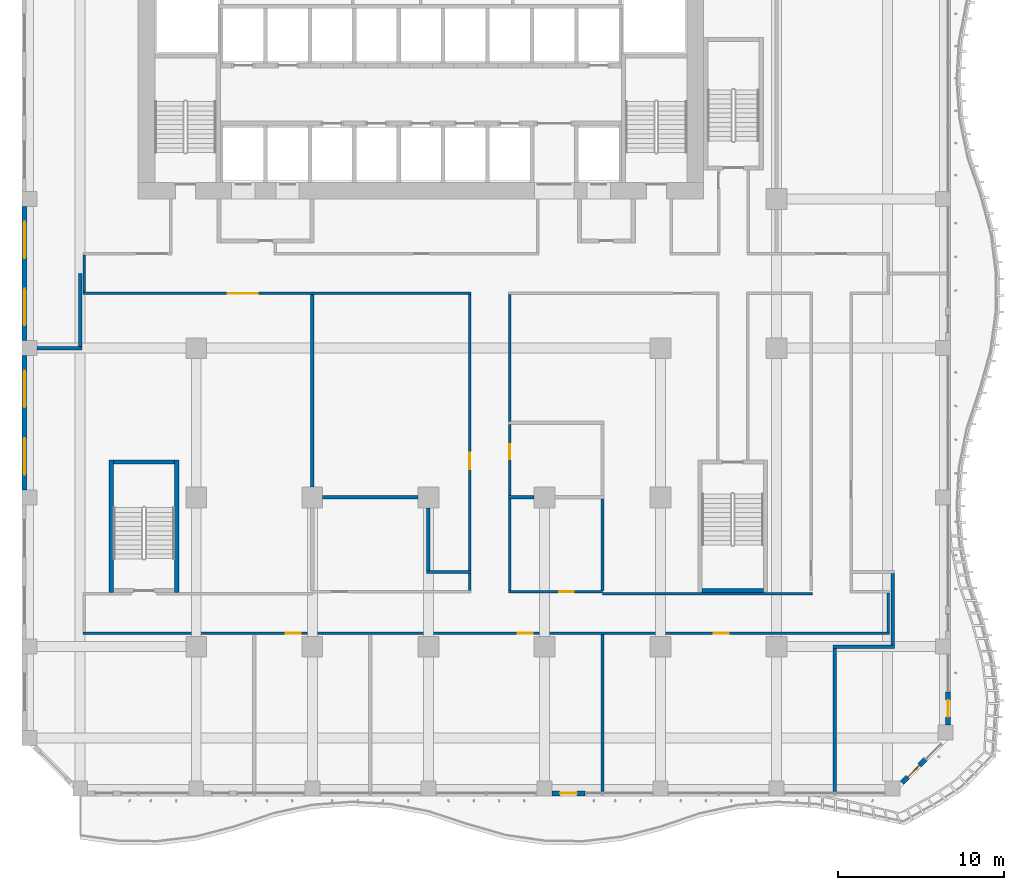
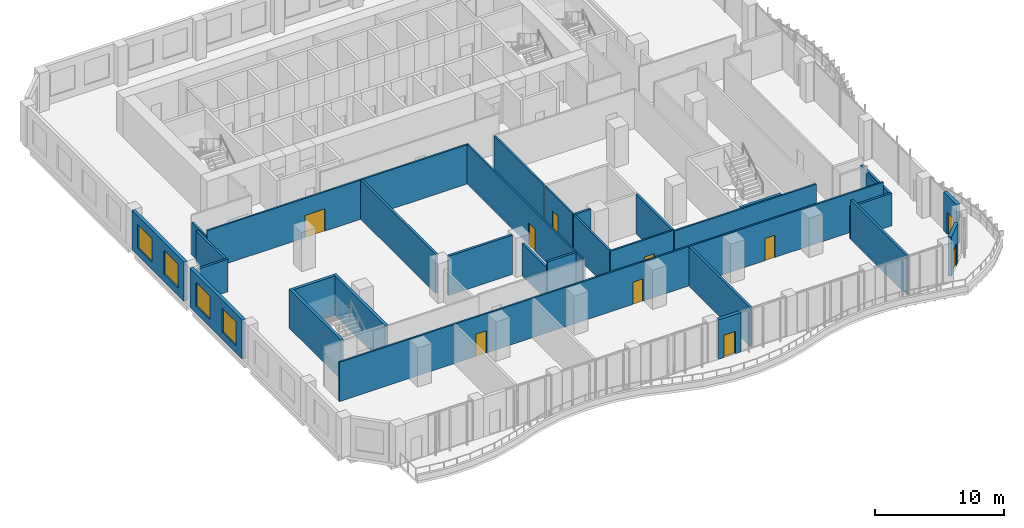
# One storey, part 14 of 29: 32 walls, 10 doors, 4 windows, 14 openings.
"""IFC4 building model written with IfcOpenShell, lengths in metres."""

from ifc_helpers import new_model, si_unit, direction, frame, frame_2d, origin, place, context, subcontext, project, spatial, rectangle, extrude, source, transform, mapped, material, layer, layer_set, type_object, element, fill, save


model = new_model("IFC4")

# Units and contexts
model_context = context("Model", 3, precision=1e-05, world=origin(), true_north=direction((0.0, 1.0)))
body_context = subcontext(model_context, "Body", "Model", "MODEL_VIEW")
ifc_project = project(units=[si_unit("LENGTHUNIT", "METRE"), si_unit("AREAUNIT", "SQUARE_METRE"), si_unit("VOLUMEUNIT", "CUBIC_METRE"), si_unit("PLANEANGLEUNIT", "RADIAN"), si_unit("MASSUNIT", "GRAM", prefix="KILO")], contexts=[model_context])

# Site, building, storey
site_placement = place(None, origin())
site = spatial("IfcSite", under=ifc_project, at=site_placement, CompositionType="ELEMENT")
building_placement = place(site_placement, origin())
building = spatial("IfcBuilding", under=site, at=building_placement, Name="Kilnfold Tower and Market Hall", CompositionType="ELEMENT")
storey_placement = place(building_placement, frame((0.0, 0.0, 79.199951171875)))
storey = spatial("IfcBuildingStorey", under=building, at=storey_placement, Name="L18", CompositionType="ELEMENT", Elevation=79.199951171875)

# Wall, openings, doors
ifc_material_1 = material(Name="Gypsum board on steel studs", Category="steel")
ifc_layer_1 = layer(ifc_material_1, 0.14990234375)
ifc_layer_set_1 = layer_set([ifc_layer_1], Name="Gypsum board on steel studs")
wall_type_1 = type_object("IfcWallType", Name="WALL CORRIDOR 150", PredefinedType="PARTITIONING", material=ifc_layer_set_1)
wall_1_placement = place(storey_placement, frame((-19.324951171875, -18.199951171875, 0.0), z_axis=(0.0, 0.0, 1.0), x_axis=(1.0, 0.0, 0.0)))
wall_1 = element("IfcWall", 1, at=wall_1_placement, inside=storey, type_object=wall_type_1, Name="Partition LY13.1", PredefinedType="PARTITIONING", context=body_context, shape_type="SweptSolid", body=[
    extrude(rectangle(XDim=48.64990234375, YDim=0.14990234375, at=frame_2d((24.324951171875, 0.0))), origin(), (0.0, 0.0, 1.0), 3.719970703125),
])
opening_1_placement = place(wall_1_placement, frame((12.220947265625, 0.0, 0.0)))
opening_1 = element("IfcOpeningElement", 2, at=opening_1_placement, cuts=wall_1, Name="Opening D3", PredefinedType="OPENING", context=body_context, shape_type="SweptSolid", body=[
    extrude(rectangle(XDim=0.89990234375, YDim=2.10009765625, at=frame_2d((0.449951171875, 1.050048828125))), frame((0.0, 0.0849609375, 0.0), z_axis=(0.0, -1.0, 0.0), x_axis=(1.0, 0.0, 0.0)), (0.0, 0.0, 1.0), 0.169921875),
])
opening_2_placement = place(wall_1_placement, frame((26.22900390625, 0.0, 0.0)))
opening_2 = element("IfcOpeningElement", 3, at=opening_2_placement, cuts=wall_1, Name="Opening D2", PredefinedType="OPENING", context=body_context, shape_type="SweptSolid", body=[
    extrude(rectangle(XDim=0.89990234375, YDim=2.10009765625, at=frame_2d((0.449951171875, 1.050048828125))), frame((0.0, 0.0849609375, 0.0), z_axis=(0.0, -1.0, 0.0), x_axis=(1.0, 0.0, 0.0)), (0.0, 0.0, 1.0), 0.169921875),
])
opening_3_placement = place(wall_1_placement, frame((38.029052734375, 0.0, 0.0)))
opening_3 = element("IfcOpeningElement", 4, at=opening_3_placement, cuts=wall_1, Name="Opening D2", PredefinedType="OPENING", context=body_context, shape_type="SweptSolid", body=[
    extrude(rectangle(XDim=0.89990234375, YDim=2.10009765625, at=frame_2d((0.449951171875, 1.050048828125))), frame((0.0, 0.0849609375, 0.0), z_axis=(0.0, -1.0, 0.0), x_axis=(1.0, 0.0, 0.0)), (0.0, 0.0, 1.0), 0.169921875),
])
ifc_material_2 = material(Name="Timber veneer door leaf in steel frame", Category="steel")
door_type_1 = type_object("IfcDoorType", Name="DOOR ROOM 900 X2100", OperationType="NOTDEFINED", PredefinedType="DOOR", material=ifc_material_2)
door_1_placement = place(opening_2_placement, origin())
door_1 = element("IfcDoor", 5, at=door_1_placement, inside=storey, type_object=door_type_1, Name="Door D2", OperationType="SINGLE_SWING_RIGHT", OverallHeight=2.10009765625, OverallWidth=0.89990234375, PredefinedType="DOOR", context=body_context, shape_type="SweptSolid", body=[
    extrude(rectangle(XDim=0.89990234375, YDim=2.10009765625, at=frame_2d((0.449951171875, 1.050048828125))), frame((0.0, 0.02490234375, 0.0), z_axis=(0.0, -1.0, 0.0), x_axis=(1.0, 0.0, 0.0)), (0.0, 0.0, 1.0), 0.050048828125),
])
fill(opening_2, door_1)
door_2_placement = place(opening_3_placement, origin())
door_2 = element("IfcDoor", 6, at=door_2_placement, inside=storey, type_object=door_type_1, Name="Door D2", OperationType="SINGLE_SWING_RIGHT", OverallHeight=2.10009765625, OverallWidth=0.89990234375, PredefinedType="DOOR", context=body_context, shape_type="SweptSolid", body=[
    extrude(rectangle(XDim=0.89990234375, YDim=2.10009765625, at=frame_2d((0.449951171875, 1.050048828125))), frame((0.0, 0.02490234375, 0.0), z_axis=(0.0, -1.0, 0.0), x_axis=(1.0, 0.0, 0.0)), (0.0, 0.0, 1.0), 0.050048828125),
])
fill(opening_3, door_2)
ifc_material_3 = material(Name="Timber veneer door leaf in steel frame", Category="steel")
door_type_2 = type_object("IfcDoorType", Name="DOOR WC 900 X2100", OperationType="NOTDEFINED", PredefinedType="DOOR", material=ifc_material_3)
door_3_placement = place(opening_1_placement, origin())
door_3 = element("IfcDoor", 7, at=door_3_placement, inside=storey, type_object=door_type_2, Name="Door D3", OperationType="SINGLE_SWING_RIGHT", OverallHeight=2.10009765625, OverallWidth=0.89990234375, PredefinedType="DOOR", context=body_context, shape_type="SweptSolid", body=[
    extrude(rectangle(XDim=0.89990234375, YDim=2.10009765625, at=frame_2d((0.449951171875, 1.050048828125))), frame((0.0, 0.02490234375, 0.0), z_axis=(0.0, -1.0, 0.0), x_axis=(1.0, 0.0, 0.0)), (0.0, 0.0, 1.0), 0.050048828125),
])
fill(opening_1, door_3)

# Wall, opening, door
wall_2_placement = place(storey_placement, frame((-19.324951171875, 2.300048828125, 0.0), z_axis=(0.0, 0.0, 1.0), x_axis=(1.0, 0.0, 0.0)))
wall_2 = element("IfcWall", 8, at=wall_2_placement, inside=storey, type_object=wall_type_1, Name="Partition LY13.5", PredefinedType="PARTITIONING", context=body_context, shape_type="SweptSolid", body=[
    extrude(rectangle(XDim=23.39990234375, YDim=0.14990234375, at=frame_2d((11.699951171875, 0.0))), origin(), (0.0, 0.0, 1.0), 3.719970703125),
])
opening_4_placement = place(wall_2_placement, frame((8.72607421875, 0.0, 0.0)))
opening_4 = element("IfcOpeningElement", 9, at=opening_4_placement, cuts=wall_2, Name="Opening D5", PredefinedType="OPENING", context=body_context, shape_type="SweptSolid", body=[
    extrude(rectangle(XDim=1.800048828125, YDim=2.10009765625, at=frame_2d((0.89990234375, 1.050048828125))), frame((0.0, 0.0849609375, 0.0), z_axis=(0.0, -1.0, 0.0), x_axis=(1.0, 0.0, 0.0)), (0.0, 0.0, 1.0), 0.169921875),
])
ifc_material_4 = material(Name="Timber veneer door leaf in steel frame", Category="steel")
door_type_3 = type_object("IfcDoorType", Name="DOOR DOUBLE 1800 X2100", OperationType="NOTDEFINED", PredefinedType="DOOR", material=ifc_material_4)
door_4_placement = place(opening_4_placement, origin())
door_4 = element("IfcDoor", 10, at=door_4_placement, inside=storey, type_object=door_type_3, Name="Door D5", OperationType="DOUBLE_DOOR_SINGLE_SWING", OverallHeight=2.10009765625, OverallWidth=1.800048828125, PredefinedType="DOOR", context=body_context, shape_type="SweptSolid", body=[
    extrude(rectangle(XDim=1.800048828125, YDim=2.10009765625, at=frame_2d((0.89990234375, 1.050048828125))), frame((0.0, 0.02490234375, 0.0), z_axis=(0.0, -1.0, 0.0), x_axis=(1.0, 0.0, 0.0)), (0.0, 0.0, 1.0), 0.050048828125),
])
fill(opening_4, door_4)

# Walls
wall_3_placement = place(storey_placement, frame((-19.25, 2.375, 0.0), z_axis=(0.0, 0.0, 1.0), x_axis=(0.0, 1.0, 0.0)))
element("IfcWall", 11, at=wall_3_placement, inside=storey, type_object=wall_type_1, Name="Partition LY13.6", PredefinedType="PARTITIONING", context=body_context, shape_type="SweptSolid", body=[
    extrude(rectangle(XDim=2.25, YDim=0.14990234375, at=frame_2d((1.125, 0.0))), origin(), (0.0, 0.0, 1.0), 3.070068359375),
])
wall_4_placement = place(storey_placement, frame((4.0, -15.625, 0.0), z_axis=(0.0, 0.0, 1.0), x_axis=(0.0, 1.0, 0.0)))
element("IfcWall", 12, at=wall_4_placement, inside=storey, type_object=wall_type_1, Name="Partition LY13.13", PredefinedType="PARTITIONING", context=body_context, shape_type="SweptSolid", body=[
    extrude(rectangle(XDim=1.034912109375, YDim=0.14990234375, at=frame_2d((0.517578125, 0.0))), origin(), (0.0, 0.0, 1.0), 3.719970703125),
])

# Wall, opening, door
wall_5_placement = place(storey_placement, frame((4.0, -14.409912109375, 0.0), z_axis=(0.0, 0.0, 1.0), x_axis=(0.0, 1.0, 0.0)))
wall_5 = element("IfcWall", 13, at=wall_5_placement, inside=storey, type_object=wall_type_1, Name="Partition LY13.14", PredefinedType="PARTITIONING", context=body_context, shape_type="SweptSolid", body=[
    extrude(rectangle(XDim=16.635009765625, YDim=0.14990234375, at=frame_2d((8.3173828125, 0.0))), origin(), (0.0, 0.0, 1.0), 3.719970703125),
])
opening_5_placement = place(wall_5_placement, frame((6.114013671875, 0.0, 0.0)))
opening_5 = element("IfcOpeningElement", 14, at=opening_5_placement, cuts=wall_5, Name="Opening D1", PredefinedType="OPENING", context=body_context, shape_type="SweptSolid", body=[
    extrude(rectangle(XDim=1.0, YDim=2.10009765625, at=frame_2d((0.5, 1.050048828125))), frame((0.0, 0.0849609375, 0.0), z_axis=(0.0, -1.0, 0.0), x_axis=(1.0, 0.0, 0.0)), (0.0, 0.0, 1.0), 0.169921875),
])
ifc_material_5 = material(Name="Timber veneer door leaf in steel frame", Category="steel")
door_type_4 = type_object("IfcDoorType", Name="DOOR ENTRY 1000 X2100", OperationType="NOTDEFINED", PredefinedType="DOOR", material=ifc_material_5)
door_5_placement = place(opening_5_placement, origin())
door_5 = element("IfcDoor", 15, at=door_5_placement, inside=storey, type_object=door_type_4, Name="Door D1", OperationType="SINGLE_SWING_RIGHT", OverallHeight=2.10009765625, OverallWidth=1.0, PredefinedType="DOOR", context=body_context, shape_type="SweptSolid", body=[
    extrude(rectangle(XDim=1.0, YDim=2.10009765625, at=frame_2d((0.5, 1.050048828125))), frame((0.0, 0.02490234375, 0.0), z_axis=(0.0, -1.0, 0.0), x_axis=(1.0, 0.0, 0.0)), (0.0, 0.0, 1.0), 0.050048828125),
])
fill(opening_5, door_5)

# Walls
wall_6_placement = place(storey_placement, frame((29.25, -18.125, 0.0), z_axis=(0.0, 0.0, 1.0), x_axis=(0.0, 1.0, 0.0)))
element("IfcWall", 16, at=wall_6_placement, inside=storey, type_object=wall_type_1, Name="Partition LY13.17", PredefinedType="PARTITIONING", context=body_context, shape_type="SweptSolid", body=[
    extrude(rectangle(XDim=2.35009765625, YDim=0.14990234375, at=frame_2d((1.175048828125, 0.0))), origin(), (0.0, 0.0, 1.0), 3.070068359375),
])
wall_7_placement = place(storey_placement, frame((6.39990234375, -15.625, 0.0), z_axis=(0.0, 0.0, 1.0), x_axis=(0.0, 1.0, 0.0)))
element("IfcWall", 17, at=wall_7_placement, inside=storey, type_object=wall_type_1, Name="Partition LY13.18", PredefinedType="PARTITIONING", context=body_context, shape_type="SweptSolid", body=[
    extrude(rectangle(XDim=5.534912109375, YDim=0.14990234375, at=frame_2d((2.767578125, 0.0))), origin(), (0.0, 0.0, 1.0), 3.719970703125),
])

# Wall, opening, door
wall_8_placement = place(storey_placement, frame((6.324951171875, -15.699951171875, 0.0), z_axis=(0.0, 0.0, 1.0), x_axis=(1.0, 0.0, 0.0)))
wall_8 = element("IfcWall", 18, at=wall_8_placement, inside=storey, type_object=wall_type_1, Name="Partition LY13.19", PredefinedType="PARTITIONING", context=body_context, shape_type="SweptSolid", body=[
    extrude(rectangle(XDim=5.68505859375, YDim=0.14990234375, at=frame_2d((2.842529296875, 0.0))), origin(), (0.0, 0.0, 1.0), 3.719970703125),
])
opening_6_placement = place(wall_8_placement, frame((3.054931640625, 0.0, 0.0)))
opening_6 = element("IfcOpeningElement", 19, at=opening_6_placement, cuts=wall_8, Name="Opening D3", PredefinedType="OPENING", context=body_context, shape_type="SweptSolid", body=[
    extrude(rectangle(XDim=0.89990234375, YDim=2.10009765625, at=frame_2d((0.449951171875, 1.050048828125))), frame((0.0, 0.0849609375, 0.0), z_axis=(0.0, -1.0, 0.0), x_axis=(1.0, 0.0, 0.0)), (0.0, 0.0, 1.0), 0.169921875),
])
door_6_placement = place(opening_6_placement, origin())
door_6 = element("IfcDoor", 20, at=door_6_placement, inside=storey, type_object=door_type_2, Name="Door D3", OperationType="SINGLE_SWING_RIGHT", OverallHeight=2.10009765625, OverallWidth=0.89990234375, PredefinedType="DOOR", context=body_context, shape_type="SweptSolid", body=[
    extrude(rectangle(XDim=0.89990234375, YDim=2.10009765625, at=frame_2d((0.449951171875, 1.050048828125))), frame((0.0, 0.02490234375, 0.0), z_axis=(0.0, -1.0, 0.0), x_axis=(1.0, 0.0, 0.0)), (0.0, 0.0, 1.0), 0.050048828125),
])
fill(opening_6, door_6)

wall_9_placement = place(storey_placement, frame((6.39990234375, -9.909912109375, 0.0), z_axis=(0.0, 0.0, 1.0), x_axis=(0.0, 1.0, 0.0)))
wall_9 = element("IfcWall", 21, at=wall_9_placement, inside=storey, type_object=wall_type_1, Name="Partition LY13.20", PredefinedType="PARTITIONING", context=body_context, shape_type="SweptSolid", body=[
    extrude(rectangle(XDim=4.31982421875, YDim=0.14990234375, at=frame_2d((2.159912109375, 0.0))), origin(), (0.0, 0.0, 1.0), 3.719970703125),
])
opening_7_placement = place(wall_9_placement, frame((2.212890625, 0.0, 0.0)))
opening_7 = element("IfcOpeningElement", 22, at=opening_7_placement, cuts=wall_9, Name="Opening D2", PredefinedType="OPENING", context=body_context, shape_type="SweptSolid", body=[
    extrude(rectangle(XDim=0.89990234375, YDim=2.10009765625, at=frame_2d((0.449951171875, 1.050048828125))), frame((0.0, 0.0849609375, 0.0), z_axis=(0.0, -1.0, 0.0), x_axis=(1.0, 0.0, 0.0)), (0.0, 0.0, 1.0), 0.169921875),
])
door_7_placement = place(opening_7_placement, origin())
door_7 = element("IfcDoor", 23, at=door_7_placement, inside=storey, type_object=door_type_1, Name="Door D2", OperationType="SINGLE_SWING_LEFT", OverallHeight=2.10009765625, OverallWidth=0.89990234375, PredefinedType="DOOR", context=body_context, shape_type="SweptSolid", body=[
    extrude(rectangle(XDim=0.89990234375, YDim=2.10009765625, at=frame_2d((0.449951171875, 1.050048828125))), frame((0.0, 0.02490234375, 0.0), z_axis=(0.0, -1.0, 0.0), x_axis=(1.0, 0.0, 0.0)), (0.0, 0.0, 1.0), 0.050048828125),
])
fill(opening_7, door_7)

# Walls
wall_10_placement = place(storey_placement, frame((6.39990234375, -5.409912109375, 0.0), z_axis=(0.0, 0.0, 1.0), x_axis=(0.0, 1.0, 0.0)))
element("IfcWall", 24, at=wall_10_placement, inside=storey, type_object=wall_type_1, Name="Partition LY13.23", PredefinedType="PARTITIONING", context=body_context, shape_type="SweptSolid", body=[
    extrude(rectangle(XDim=7.635009765625, YDim=0.14990234375, at=frame_2d((3.8173828125, 0.0))), origin(), (0.0, 0.0, 1.0), 3.719970703125),
])
wall_11_placement = place(storey_placement, frame((11.989990234375, -15.824951171875, 0.0), z_axis=(0.0, 0.0, 1.0), x_axis=(1.0, 0.0, 0.0)))
element("IfcWall", 25, at=wall_11_placement, inside=storey, type_object=wall_type_1, Name="Partition LY13.24", PredefinedType="PARTITIONING", context=body_context, shape_type="SweptSolid", body=[
    extrude(rectangle(XDim=12.68505859375, YDim=0.14990234375, at=frame_2d((6.342529296875, 0.0))), origin(), (0.0, 0.0, 1.0), 3.719970703125),
])
ifc_material_6 = material(Name="Gypsum board on steel studs", Category="steel")
ifc_layer_2 = layer(ifc_material_6, 0.199951171875)
ifc_layer_set_2 = layer_set([ifc_layer_2], Name="Gypsum board on steel studs")
wall_type_2 = type_object("IfcWallType", Name="WALL PARTY 200", PredefinedType="PARTITIONING", material=ifc_layer_set_2)
wall_12_placement = place(storey_placement, frame((-19.39990234375, -1.0, 0.0), z_axis=(0.0, 0.0, 1.0), x_axis=(-1.0, 0.0, 0.0)))
element("IfcWall", 26, at=wall_12_placement, inside=storey, type_object=wall_type_2, Name="Partition LY13.37", PredefinedType="PARTITIONING", context=body_context, shape_type="SweptSolid", body=[
    extrude(rectangle(XDim=2.7001953125, YDim=0.199951171875, at=frame_2d((1.35009765625, 0.0))), origin(), (0.0, 0.0, 1.0), 3.070068359375),
])
wall_13_placement = place(storey_placement, frame((-19.5, 3.5, 0.0), z_axis=(0.0, 0.0, 1.0), x_axis=(0.0, -1.0, 0.0)))
element("IfcWall", 27, at=wall_13_placement, inside=storey, type_object=wall_type_2, Name="Partition LY13.38", PredefinedType="PARTITIONING", context=body_context, shape_type="SweptSolid", body=[
    extrude(rectangle(XDim=4.39990234375, YDim=0.199951171875, at=frame_2d((2.199951171875, 0.0))), origin(), (0.0, 0.0, 1.0), 3.070068359375),
])
wall_14_placement = place(storey_placement, frame((-5.5, -9.375, 0.0), z_axis=(0.0, 0.0, 1.0), x_axis=(0.0, 1.0, 0.0)))
element("IfcWall", 28, at=wall_14_placement, inside=storey, type_object=wall_type_2, Name="Partition LY13.41", PredefinedType="PARTITIONING", context=body_context, shape_type="SweptSolid", body=[
    extrude(rectangle(XDim=11.59912109375, YDim=0.199951171875, at=frame_2d((5.799560546875, 0.0))), origin(), (0.0, 0.0, 1.0), 3.719970703125),
])
wall_15_placement = place(storey_placement, frame((-4.875, -10.0, 0.0), z_axis=(0.0, 0.0, 1.0), x_axis=(1.0, 0.0, 0.0)))
element("IfcWall", 29, at=wall_15_placement, inside=storey, type_object=wall_type_2, Name="Partition LY13.44", PredefinedType="PARTITIONING", context=body_context, shape_type="SweptSolid", body=[
    extrude(rectangle(XDim=5.75, YDim=0.199951171875, at=frame_2d((2.875, 0.0))), origin(), (0.0, 0.0, 1.0), 3.719970703125),
])
wall_16_placement = place(storey_placement, frame((1.5, -14.39990234375, 0.0), z_axis=(0.0, 0.0, 1.0), x_axis=(0.0, 1.0, 0.0)))
element("IfcWall", 30, at=wall_16_placement, inside=storey, type_object=wall_type_2, Name="Partition LY13.45", PredefinedType="PARTITIONING", context=body_context, shape_type="SweptSolid", body=[
    extrude(rectangle(XDim=3.77490234375, YDim=0.199951171875, at=frame_2d((1.887451171875, 0.0))), origin(), (0.0, 0.0, 1.0), 3.070068359375),
])
wall_17_placement = place(storey_placement, frame((1.39990234375, -14.5, 0.0), z_axis=(0.0, 0.0, 1.0), x_axis=(1.0, 0.0, 0.0)))
element("IfcWall", 31, at=wall_17_placement, inside=storey, type_object=wall_type_2, Name="Partition LY13.46", PredefinedType="PARTITIONING", context=body_context, shape_type="SweptSolid", body=[
    extrude(rectangle(XDim=2.674072265625, YDim=0.199951171875, at=frame_2d((1.3369140625, 0.0))), origin(), (0.0, 0.0, 1.0), 3.719970703125),
])
wall_18_placement = place(storey_placement, frame((12.0, -27.75, 0.0), z_axis=(0.0, 0.0, 1.0), x_axis=(0.0, 1.0, 0.0)))
element("IfcWall", 32, at=wall_18_placement, inside=storey, type_object=wall_type_2, Name="Partition LY13.47", PredefinedType="PARTITIONING", context=body_context, shape_type="SweptSolid", body=[
    extrude(rectangle(XDim=9.47412109375, YDim=0.199951171875, at=frame_2d((4.737060546875, 0.0))), origin(), (0.0, 0.0, 1.0), 3.719970703125),
])
wall_19_placement = place(storey_placement, frame((29.5, -18.89990234375, 0.0), z_axis=(0.0, 0.0, 1.0), x_axis=(0.0, 1.0, 0.0)))
element("IfcWall", 33, at=wall_19_placement, inside=storey, type_object=wall_type_2, Name="Partition LY13.49", PredefinedType="PARTITIONING", context=body_context, shape_type="SweptSolid", body=[
    extrude(rectangle(XDim=4.2998046875, YDim=0.199951171875, at=frame_2d((2.14990234375, 0.0))), origin(), (0.0, 0.0, 1.0), 3.070068359375),
])
wall_20_placement = place(storey_placement, frame((25.89990234375, -19.0, 0.0), z_axis=(0.0, 0.0, 1.0), x_axis=(1.0, 0.0, 0.0)))
element("IfcWall", 34, at=wall_20_placement, inside=storey, type_object=wall_type_2, Name="Partition LY13.50", PredefinedType="PARTITIONING", context=body_context, shape_type="SweptSolid", body=[
    extrude(rectangle(XDim=3.7001953125, YDim=0.199951171875, at=frame_2d((1.85009765625, 0.0))), origin(), (0.0, 0.0, 1.0), 3.070068359375),
])
wall_21_placement = place(storey_placement, frame((26.0, -27.75, 0.0), z_axis=(0.0, 0.0, 1.0), x_axis=(0.0, 1.0, 0.0)))
element("IfcWall", 35, at=wall_21_placement, inside=storey, type_object=wall_type_2, Name="Partition LY13.51", PredefinedType="PARTITIONING", context=body_context, shape_type="SweptSolid", body=[
    extrude(rectangle(XDim=8.64990234375, YDim=0.199951171875, at=frame_2d((4.324951171875, 0.0))), origin(), (0.0, 0.0, 1.0), 3.719970703125),
])
wall_22_placement = place(storey_placement, frame((6.325927734375, -10.0, 0.0), z_axis=(0.0, 0.0, 1.0), x_axis=(1.0, 0.0, 0.0)))
element("IfcWall", 36, at=wall_22_placement, inside=storey, type_object=wall_type_2, Name="Partition LY13.52", PredefinedType="PARTITIONING", context=body_context, shape_type="SweptSolid", body=[
    extrude(rectangle(XDim=1.549072265625, YDim=0.199951171875, at=frame_2d((0.7744140625, 0.0))), origin(), (0.0, 0.0, 1.0), 3.719970703125),
])
wall_23_placement = place(storey_placement, frame((12.0, -15.6240234375, 0.0), z_axis=(0.0, 0.0, 1.0), x_axis=(0.0, 1.0, 0.0)))
element("IfcWall", 37, at=wall_23_placement, inside=storey, type_object=wall_type_2, Name="Partition LY13.54", PredefinedType="PARTITIONING", context=body_context, shape_type="SweptSolid", body=[
    extrude(rectangle(XDim=5.52392578125, YDim=0.199951171875, at=frame_2d((2.761962890625, 0.0))), origin(), (0.0, 0.0, 1.0), 3.719970703125),
])
ifc_material_7 = material(Name="Concrete C80", Category="concrete")
ifc_layer_3 = layer(ifc_material_7, 0.25)
ifc_layer_set_3 = layer_set([ifc_layer_3], Name="Concrete C80")
wall_type_3 = type_object("IfcWallType", Name="CORE WALL 250 C80", PredefinedType="SHEAR", material=ifc_layer_set_3)
shared_shape_1 = source(origin(), body_context, "Body", "SweptSolid", [
    extrude(rectangle(XDim=3.699951171875, YDim=0.25, at=frame_2d((1.85009765625, 0.0))), origin(), (0.0, 0.0, 1.0), 3.719970703125),
])
for number, where, z_axis, x_axis, name in (
    (38, (-17.5, -7.875, 0.0), (0.0, 0.0, 1.0), (1.0, 0.0, 0.0), "Stair enclosure ST3"),
    (39, (18.0, -15.625, 0.0), (0.0, 0.0, 1.0), (1.0, 0.0, 0.0), "Stair enclosure ST4"),
):
    element("IfcWall", number, at=place(storey_placement, frame(where, z_axis=z_axis, x_axis=x_axis)), inside=storey, type_object=wall_type_3, Name=name, PredefinedType="SHEAR", context=body_context, shape_type="MappedRepresentation", body=[
        mapped(shared_shape_1, transform((0.0, 0.0, 0.0))),
    ])
shared_shape_2 = source(origin(), body_context, "Body", "SweptSolid", [
    extrude(rectangle(XDim=8.0, YDim=0.25, at=frame_2d((4.0, 0.0))), origin(), (0.0, 0.0, 1.0), 3.719970703125),
])
for number, where, z_axis, x_axis, name in (
    (40, (-17.625, -15.75, 0.0), (0.0, 0.0, 1.0), (0.0, 1.0, 0.0), "Stair enclosure ST3"),
    (41, (-13.675048828125, -15.75, 0.0), (0.0, 0.0, 1.0), (0.0, 1.0, 0.0), "Stair enclosure ST3"),
):
    element("IfcWall", number, at=place(storey_placement, frame(where, z_axis=z_axis, x_axis=x_axis)), inside=storey, type_object=wall_type_3, Name=name, PredefinedType="SHEAR", context=body_context, shape_type="MappedRepresentation", body=[
        mapped(shared_shape_2, transform((0.0, 0.0, 0.0))),
    ])

# Wall, opening, door
ifc_material_8 = material(Name="Precast concrete C50/60", Category="concrete")
ifc_layer_4 = layer(ifc_material_8, 0.300048828125)
ifc_layer_set_4 = layer_set([ifc_layer_4], Name="Precast concrete C50/60")
wall_type_4 = type_object("IfcWallType", Name="PRECAST WALL 300", PredefinedType="SOLIDWALL", material=ifc_layer_set_4)
shared_shape_3 = source(origin(), body_context, "Body", "SweptSolid", [
    extrude(rectangle(XDim=2.0, YDim=0.300048828125, at=frame_2d((1.0, 0.0))), origin(), (0.0, 0.0, 1.0), 3.719970703125),
])
wall_24_placement = place(storey_placement, frame((8.949951171875, -27.85009765625, 0.0), z_axis=(0.0, 0.0, 1.0), x_axis=(1.0, 0.0, 0.0)))
wall_24 = element("IfcWall", 42, at=wall_24_placement, inside=storey, type_object=wall_type_4, Name="External wall L18 S", PredefinedType="SOLIDWALL", context=body_context, shape_type="MappedRepresentation", body=[
    mapped(shared_shape_3, transform((0.0, 0.0, 0.0))),
])
opening_8_placement = place(wall_24_placement, frame((0.5, 0.0, 0.0)))
opening_8 = element("IfcOpeningElement", 43, at=opening_8_placement, cuts=wall_24, Name="Opening BD1", PredefinedType="OPENING", context=body_context, shape_type="SweptSolid", body=[
    extrude(rectangle(XDim=1.0, YDim=2.10009765625, at=frame_2d((0.5, 1.050048828125))), frame((0.0, 0.16015625, 0.0), z_axis=(0.0, -1.0, 0.0), x_axis=(1.0, 0.0, 0.0)), (0.0, 0.0, 1.0), 0.320068359375),
])
ifc_material_9 = material(Name="Aluminium frame and double glazing", Category="aluminium")
door_type_5 = type_object("IfcDoorType", Name="BALCONY DOOR 1000X2100", OperationType="NOTDEFINED", PredefinedType="DOOR", material=ifc_material_9)
door_8_placement = place(opening_8_placement, origin())
door_8 = element("IfcDoor", 44, at=door_8_placement, inside=storey, type_object=door_type_5, Name="Balcony door BD1 L18 S-1", OperationType="SINGLE_SWING_LEFT", OverallHeight=2.10009765625, OverallWidth=1.0, PredefinedType="DOOR", context=body_context, shape_type="SweptSolid", body=[
    extrude(rectangle(XDim=1.0, YDim=2.10009765625, at=frame_2d((0.5, 1.050048828125))), frame((0.0, 0.02490234375, 0.0), z_axis=(0.0, -1.0, 0.0), x_axis=(1.0, 0.0, 0.0)), (0.0, 0.0, 1.0), 0.050048828125),
])
fill(opening_8, door_8)

wall_25_placement = place(storey_placement, frame((32.85009765625, -23.731689453125, 0.0), z_axis=(0.0, 0.0, 1.0), x_axis=(0.0, 1.0, 0.0)))
wall_25 = element("IfcWall", 45, at=wall_25_placement, inside=storey, type_object=wall_type_4, Name="External wall L18 E", PredefinedType="SOLIDWALL", context=body_context, shape_type="MappedRepresentation", body=[
    mapped(shared_shape_3, transform((0.0, 0.0, 0.0))),
])
opening_9_placement = place(wall_25_placement, frame((0.5, 0.0, 0.0)))
opening_9 = element("IfcOpeningElement", 46, at=opening_9_placement, cuts=wall_25, Name="Opening BD1", PredefinedType="OPENING", context=body_context, shape_type="SweptSolid", body=[
    extrude(rectangle(XDim=1.0, YDim=2.10009765625, at=frame_2d((0.5, 1.050048828125))), frame((0.0, 0.16015625, 0.0), z_axis=(0.0, -1.0, 0.0), x_axis=(1.0, 0.0, 0.0)), (0.0, 0.0, 1.0), 0.320068359375),
])
door_9_placement = place(opening_9_placement, origin())
door_9 = element("IfcDoor", 47, at=door_9_placement, inside=storey, type_object=door_type_5, Name="Balcony door BD1 L18 E-1", OperationType="SINGLE_SWING_LEFT", OverallHeight=2.10009765625, OverallWidth=1.0, PredefinedType="DOOR", context=body_context, shape_type="SweptSolid", body=[
    extrude(rectangle(XDim=1.0, YDim=2.10009765625, at=frame_2d((0.5, 1.050048828125))), frame((0.0, 0.02490234375, 0.0), z_axis=(0.0, -1.0, 0.0), x_axis=(1.0, 0.0, 0.0)), (0.0, 0.0, 1.0), 0.050048828125),
])
fill(opening_9, door_9)

shared_shape_4 = source(origin(), body_context, "Body", "SweptSolid", [
    extrude(rectangle(XDim=2.000244140625, YDim=0.300048828125, at=frame_2d((1.0, 0.0))), origin(), (0.0, 0.0, 1.0), 3.719970703125),
])
wall_26_placement = place(storey_placement, frame((30.06884765625, -27.218994140625, 0.0), z_axis=(0.0, 0.0, 1.0), x_axis=(0.707106781187, 0.707106781187, 0.0)))
wall_26 = element("IfcWall", 48, at=wall_26_placement, inside=storey, type_object=wall_type_4, Name="External wall L18 SE", PredefinedType="SOLIDWALL", context=body_context, shape_type="MappedRepresentation", body=[
    mapped(shared_shape_4, transform((0.0, 0.0, 0.0))),
])
opening_10_placement = place(wall_26_placement, frame((0.5, 0.0, 0.0)))
opening_10 = element("IfcOpeningElement", 49, at=opening_10_placement, cuts=wall_26, Name="Opening BD1", PredefinedType="OPENING", context=body_context, shape_type="SweptSolid", body=[
    extrude(rectangle(XDim=1.0, YDim=2.10009765625, at=frame_2d((0.5, 1.050048828125))), frame((0.0, 0.16015625, 0.0), z_axis=(0.0, -1.0, 0.0), x_axis=(1.0, 0.0, 0.0)), (0.0, 0.0, 1.0), 0.320068359375),
])
door_10_placement = place(opening_10_placement, origin())
door_10 = element("IfcDoor", 50, at=door_10_placement, inside=storey, type_object=door_type_5, Name="Balcony door BD1 L18 SE-1", OperationType="SINGLE_SWING_LEFT", OverallHeight=2.10009765625, OverallWidth=1.0, PredefinedType="DOOR", context=body_context, shape_type="SweptSolid", body=[
    extrude(rectangle(XDim=1.0, YDim=2.10009765625, at=frame_2d((0.5, 1.050048828125))), frame((0.0, 0.02490234375, 0.0), z_axis=(0.0, -1.0, 0.0), x_axis=(1.0, 0.0, 0.0)), (0.0, 0.0, 1.0), 0.050048828125),
])
fill(opening_10, door_10)

# Wall, openings, windows
shared_shape_5 = source(origin(), body_context, "Body", "SweptSolid", [
    extrude(rectangle(XDim=8.10009765625, YDim=0.300048828125, at=frame_2d((4.050048828125, 0.0))), origin(), (0.0, 0.0, 1.0), 3.719970703125),
])
wall_27_placement = place(storey_placement, frame((-22.85009765625, 7.550048828125, 0.0), z_axis=(0.0, 0.0, 1.0), x_axis=(0.0, -1.0, 0.0)))
wall_27 = element("IfcWall", 51, at=wall_27_placement, inside=storey, type_object=wall_type_4, Name="External wall L18 W", PredefinedType="SOLIDWALL", context=body_context, shape_type="MappedRepresentation", body=[
    mapped(shared_shape_5, transform((0.0, 0.0, 0.0))),
])
opening_11_placement = place(wall_27_placement, frame((0.925048828125, 0.0, 0.699951171875)))
opening_11 = element("IfcOpeningElement", 52, at=opening_11_placement, cuts=wall_27, Name="Opening W1", PredefinedType="OPENING", context=body_context, shape_type="SweptSolid", body=[
    extrude(rectangle(XDim=2.199951171875, YDim=2.25, at=frame_2d((1.10009765625, 1.125))), frame((0.0, 0.16015625, 0.0), z_axis=(0.0, -1.0, 0.0), x_axis=(1.0, 0.0, 0.0)), (0.0, 0.0, 1.0), 0.320068359375),
])
opening_12_placement = place(wall_27_placement, frame((4.97509765625, 0.0, 0.699951171875)))
opening_12 = element("IfcOpeningElement", 53, at=opening_12_placement, cuts=wall_27, Name="Opening W1", PredefinedType="OPENING", context=body_context, shape_type="SweptSolid", body=[
    extrude(rectangle(XDim=2.199951171875, YDim=2.25, at=frame_2d((1.10009765625, 1.125))), frame((0.0, 0.16015625, 0.0), z_axis=(0.0, -1.0, 0.0), x_axis=(1.0, 0.0, 0.0)), (0.0, 0.0, 1.0), 0.320068359375),
])
ifc_material_10 = material(Name="Aluminium frame and double glazing", Category="aluminium")
window_type = type_object("IfcWindowType", Name="WINDOW W1 2200X2250", PartitioningType="SINGLE_PANEL", PredefinedType="WINDOW", material=ifc_material_10)
window_1_placement = place(opening_11_placement, origin())
window_1 = element("IfcWindow", 54, at=window_1_placement, inside=storey, type_object=window_type, Name="Window W1 L18 W-1", OverallHeight=2.25, OverallWidth=2.199951171875, PartitioningType="SINGLE_PANEL", PredefinedType="WINDOW", context=body_context, shape_type="SweptSolid", body=[
    extrude(rectangle(XDim=2.199951171875, YDim=2.25, at=frame_2d((1.10009765625, 1.125))), frame((0.0, 0.030029296875, 0.0), z_axis=(0.0, -1.0, 0.0), x_axis=(1.0, 0.0, 0.0)), (0.0, 0.0, 1.0), 0.06005859375),
])
fill(opening_11, window_1)
window_2_placement = place(opening_12_placement, origin())
window_2 = element("IfcWindow", 55, at=window_2_placement, inside=storey, type_object=window_type, Name="Window W1 L18 W-2", OverallHeight=2.25, OverallWidth=2.199951171875, PartitioningType="SINGLE_PANEL", PredefinedType="WINDOW", context=body_context, shape_type="SweptSolid", body=[
    extrude(rectangle(XDim=2.199951171875, YDim=2.25, at=frame_2d((1.10009765625, 1.125))), frame((0.0, 0.030029296875, 0.0), z_axis=(0.0, -1.0, 0.0), x_axis=(1.0, 0.0, 0.0)), (0.0, 0.0, 1.0), 0.06005859375),
])
fill(opening_12, window_2)

wall_28_placement = place(storey_placement, frame((-22.85009765625, -1.449951171875, 0.0), z_axis=(0.0, 0.0, 1.0), x_axis=(0.0, -1.0, 0.0)))
wall_28 = element("IfcWall", 56, at=wall_28_placement, inside=storey, type_object=wall_type_4, Name="External wall L18 W", PredefinedType="SOLIDWALL", context=body_context, shape_type="MappedRepresentation", body=[
    mapped(shared_shape_5, transform((0.0, 0.0, 0.0))),
])
opening_13_placement = place(wall_28_placement, frame((0.925048828125, 0.0, 0.699951171875)))
opening_13 = element("IfcOpeningElement", 57, at=opening_13_placement, cuts=wall_28, Name="Opening W1", PredefinedType="OPENING", context=body_context, shape_type="SweptSolid", body=[
    extrude(rectangle(XDim=2.199951171875, YDim=2.25, at=frame_2d((1.10009765625, 1.125))), frame((0.0, 0.16015625, 0.0), z_axis=(0.0, -1.0, 0.0), x_axis=(1.0, 0.0, 0.0)), (0.0, 0.0, 1.0), 0.320068359375),
])
opening_14_placement = place(wall_28_placement, frame((4.97509765625, 0.0, 0.699951171875)))
opening_14 = element("IfcOpeningElement", 58, at=opening_14_placement, cuts=wall_28, Name="Opening W1", PredefinedType="OPENING", context=body_context, shape_type="SweptSolid", body=[
    extrude(rectangle(XDim=2.199951171875, YDim=2.25, at=frame_2d((1.10009765625, 1.125))), frame((0.0, 0.16015625, 0.0), z_axis=(0.0, -1.0, 0.0), x_axis=(1.0, 0.0, 0.0)), (0.0, 0.0, 1.0), 0.320068359375),
])
window_3_placement = place(opening_13_placement, origin())
window_3 = element("IfcWindow", 59, at=window_3_placement, inside=storey, type_object=window_type, Name="Window W1 L18 W-1", OverallHeight=2.25, OverallWidth=2.199951171875, PartitioningType="SINGLE_PANEL", PredefinedType="WINDOW", context=body_context, shape_type="SweptSolid", body=[
    extrude(rectangle(XDim=2.199951171875, YDim=2.25, at=frame_2d((1.10009765625, 1.125))), frame((0.0, 0.030029296875, 0.0), z_axis=(0.0, -1.0, 0.0), x_axis=(1.0, 0.0, 0.0)), (0.0, 0.0, 1.0), 0.06005859375),
])
fill(opening_13, window_3)
window_4_placement = place(opening_14_placement, origin())
window_4 = element("IfcWindow", 60, at=window_4_placement, inside=storey, type_object=window_type, Name="Window W1 L18 W-2", OverallHeight=2.25, OverallWidth=2.199951171875, PartitioningType="SINGLE_PANEL", PredefinedType="WINDOW", context=body_context, shape_type="SweptSolid", body=[
    extrude(rectangle(XDim=2.199951171875, YDim=2.25, at=frame_2d((1.10009765625, 1.125))), frame((0.0, 0.030029296875, 0.0), z_axis=(0.0, -1.0, 0.0), x_axis=(1.0, 0.0, 0.0)), (0.0, 0.0, 1.0), 0.06005859375),
])
fill(opening_14, window_4)

save(model, "model.ifc")
